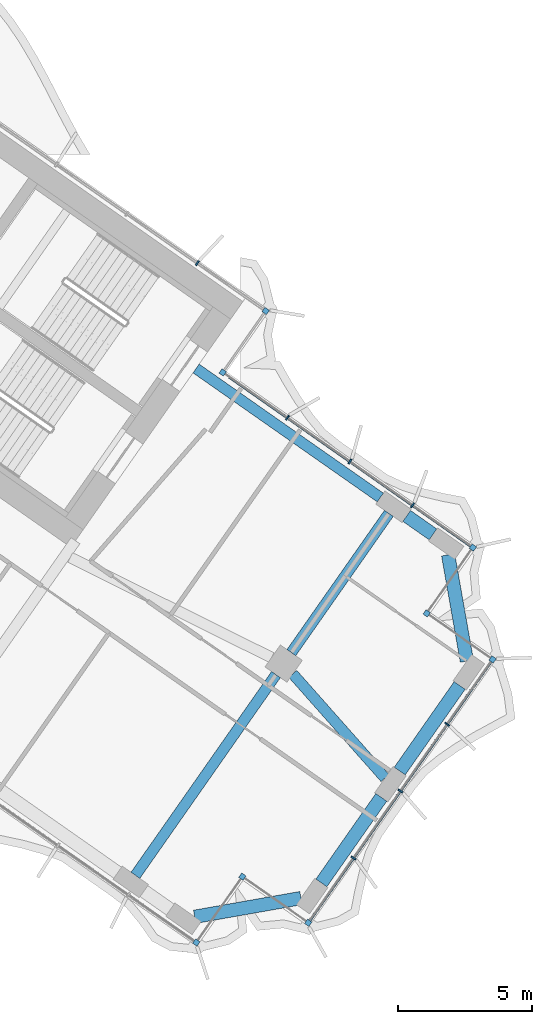
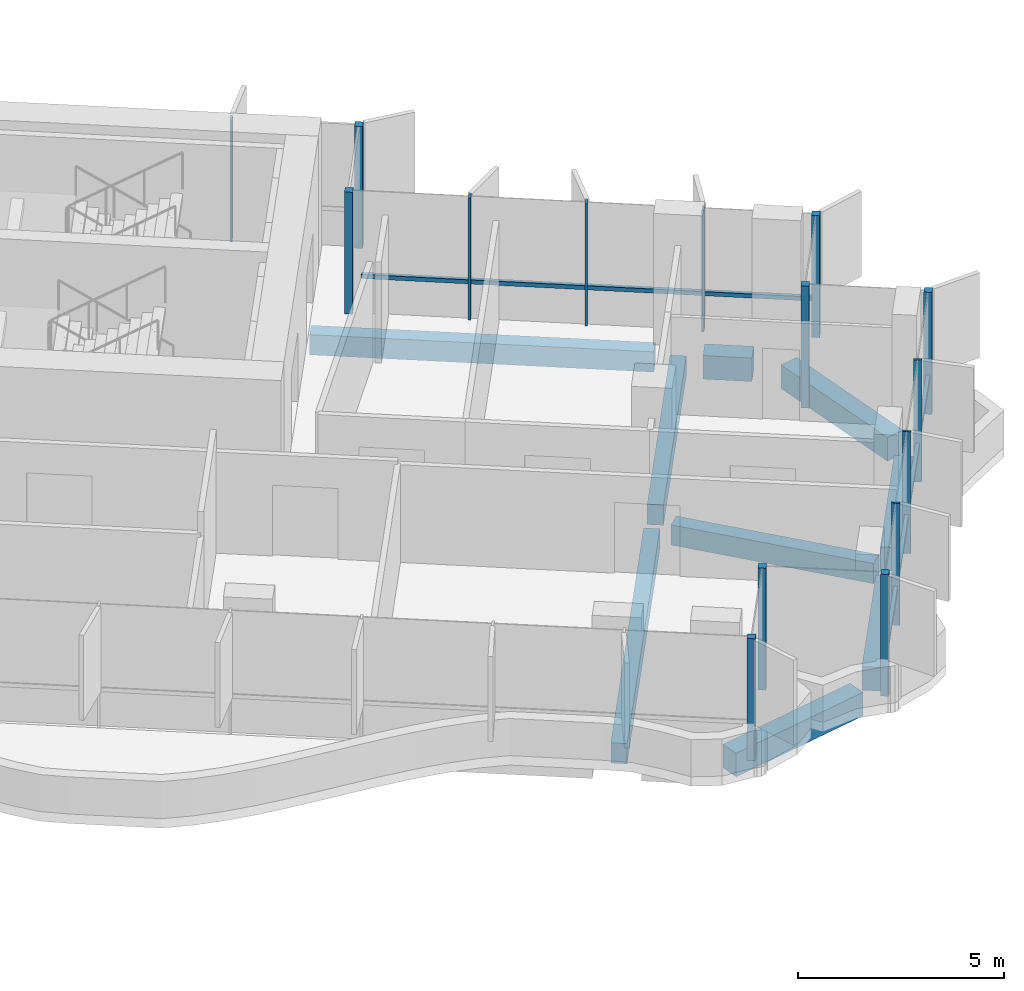
# One storey, part 11 of 23: 17 members, 9 beams, 2 elements without a shape of their own.
"""IFC4 building model written with IfcOpenShell, lengths in metres."""

import ifcopenshell
import ifcopenshell.guid

model = None  # the IFC model being written
_history = None  # IfcOwnerHistory: only IFC2X3 demands one
_inside = {}  # id of a spatial element -> (the spatial element, [elements in it])
_under = {}  # id of a project, library or spatial element -> (it, [spatial elements below it])
_declared = {}  # id of a project -> (the project, [libraries it declares])
_typed = {}  # id of a type object -> (the type object, [elements of that type])
_made_of = {}  # id of a material, layer set ... -> (it, [elements and type objects made of it])


def new_model(schema):
    """Start an empty IFC model of exactly this schema.

    Asked for "IFC4X3", IfcOpenShell would pick the latest addendum, in which some entities
    have other attributes; the version numbers below select the first issue.
    IFC2X3 requires an IfcOwnerHistory on every rooted entity: one is made here for all.
    """
    global model, _history
    if schema == "IFC4X3":
        model = ifcopenshell.file(schema_version=(4, 3, 0, 0))
    else:
        model = ifcopenshell.file(schema=schema)
    _inside.clear()
    _under.clear()
    _declared.clear()
    _typed.clear()
    _made_of.clear()
    _history = None
    if model.schema == "IFC2X3":
        org = make("IfcOrganization", Name="unknown")
        user = make(
            "IfcPersonAndOrganization",
            ThePerson=make("IfcPerson", FamilyName="unknown"),
            TheOrganization=org,
        )
        app = make(
            "IfcApplication",
            ApplicationDeveloper=org,
            Version="unknown",
            ApplicationFullName="unknown",
            ApplicationIdentifier="unknown",
        )
        _history = make(
            "IfcOwnerHistory",
            OwningUser=user,
            OwningApplication=app,
            ChangeAction="ADDED",
            CreationDate=0,
        )
    return model


def make(cls, **values):
    """One entity of the class cls with the attributes given. An attribute that is None is left unset."""
    return model.create_entity(
        cls, **{name: value for name, value in values.items() if value is not None}
    )


def rooted(cls, **values):
    """An entity with a GlobalId (a new one), such as an element, a storey or a relation."""
    return make(cls, GlobalId=ifcopenshell.guid.new(), OwnerHistory=_history, **values)


def si_unit(unit_type, name, prefix=None):
    """IfcSIUnit, for example si_unit("LENGTHUNIT", "METRE", prefix="MILLI")."""
    return make("IfcSIUnit", UnitType=unit_type, Prefix=prefix, Name=name)


def assignment(units):
    """IfcUnitAssignment: the units of a project."""
    return None if units is None else make("IfcUnitAssignment", Units=units)


def point(xyz):
    """IfcCartesianPoint."""
    return None if xyz is None else make("IfcCartesianPoint", Coordinates=xyz)


def direction(xyz):
    """IfcDirection."""
    return None if xyz is None else make("IfcDirection", DirectionRatios=xyz)


def frame(location, z_axis=None, x_axis=None):
    """IfcAxis2Placement3D, a coordinate frame: its origin and axes. An axis left out is left unset."""
    return make(
        "IfcAxis2Placement3D",
        Location=point(location),
        Axis=direction(z_axis),
        RefDirection=direction(x_axis),
    )


def frame_2d(location, x_axis=None):
    """IfcAxis2Placement2D, a coordinate frame in the plane: its origin and x axis."""
    return make(
        "IfcAxis2Placement2D", Location=point(location), RefDirection=direction(x_axis)
    )


def origin():
    """The frame at (0, 0, 0) with its axes left unset."""
    return frame((0.0, 0.0, 0.0))


def origin_2d():
    """The frame at (0, 0) in the plane with its x axis left unset."""
    return frame_2d((0.0, 0.0))


def place(relative_to, where):
    """IfcLocalPlacement: puts the frame where relative to a parent placement (None: the world)."""
    return make(
        "IfcLocalPlacement", PlacementRelTo=relative_to, RelativePlacement=where
    )


def context(
    kind, dimensions, precision=None, world=None, true_north=None, identifier=None
):
    """IfcGeometricRepresentationContext, for example the 3D "Model" context."""
    return make(
        "IfcGeometricRepresentationContext",
        ContextIdentifier=identifier,
        ContextType=kind,
        CoordinateSpaceDimension=dimensions,
        Precision=precision,
        WorldCoordinateSystem=world,
        TrueNorth=true_north,
    )


def subcontext(parent, identifier, kind, view, scale=None):
    """IfcGeometricRepresentationSubContext, for example "Body" below "Model"."""
    return make(
        "IfcGeometricRepresentationSubContext",
        ContextIdentifier=identifier,
        ContextType=kind,
        ParentContext=parent,
        TargetScale=scale,
        TargetView=view,
    )


def project(units=None, contexts=None):
    """IfcProject with its units and contexts."""
    return rooted(
        "IfcProject",
        Name="project",
        RepresentationContexts=contexts,
        UnitsInContext=assignment(units),
    )


def spatial(cls, under=None, at=None, **own):
    """A site, building, storey or space (cls), placed at a placement, below another one or the project."""
    s = rooted(cls, ObjectPlacement=at, **own)
    if under is not None:
        _under.setdefault(under.id(), (under, []))[1].append(s)
    return s


def profile(cls, at=None, kind="AREA", **sizes):
    """A parametric profile (cls). Its sizes go by their IFC names, for example OverallWidth=200.0."""
    return make(cls, ProfileType=kind, Position=at, **sizes)


def rectangle(**sizes):
    """IfcRectangleProfileDef."""
    return profile("IfcRectangleProfileDef", **sizes)


def extrude(swept, where, along, depth):
    """IfcExtrudedAreaSolid: the profile swept, set in the frame where, extruded along a direction by depth."""
    return make(
        "IfcExtrudedAreaSolid",
        SweptArea=swept,
        Position=where,
        ExtrudedDirection=direction(along),
        Depth=depth,
    )


def shape(context_of_items, identifier, shape_type, items):
    """IfcShapeRepresentation: the items that make up one representation, for example the "Body"."""
    return make(
        "IfcShapeRepresentation",
        ContextOfItems=context_of_items,
        RepresentationIdentifier=identifier,
        RepresentationType=shape_type,
        Items=items,
    )


def material(Name=None, Category=None):
    """IfcMaterial."""
    return make("IfcMaterial", Name=Name, Category=Category)


def material_profile(
    of_material, cross_section, Name=None, Category=None, Priority=None
):
    """IfcMaterialProfile: a cross section and its material."""
    return make(
        "IfcMaterialProfile",
        Name=Name,
        Material=of_material,
        Profile=cross_section,
        Priority=Priority,
        Category=Category,
    )


def profile_set(profiles, Name=None, composite=None):
    """IfcMaterialProfileSet."""
    return make(
        "IfcMaterialProfileSet",
        Name=Name,
        MaterialProfiles=profiles,
        CompositeProfile=composite,
    )


def made_of(thing, what):
    """Note that an element or type object is made of a material, layer set ...; save() writes the relation."""
    if what is not None:
        _made_of.setdefault(what.id(), (what, []))[1].append(thing)
    return thing


def type_object(cls, material=None, **own):
    """A type object (cls), such as IfcWallType, which elements share."""
    return made_of(rooted(cls, **own), material)


def element(
    cls,
    number,
    at=None,
    inside=None,
    cuts=None,
    type_object=None,
    material=None,
    context=None,
    identifier="Body",
    shape_type=None,
    held_by="IfcProductDefinitionShape",
    body=None,
    shapes=None,
    **own,
):
    """One element of the class cls, such as IfcWall. Its Tag is "e" and its number.

    at: its placement. inside: the storey or other place that contains it. cuts: it is an
    opening in that element (IfcRelVoidsElement). A single representation is given by context,
    identifier, shape_type and body (its items); several are given by shapes. held_by: the class
    of the entity that holds the representations. save() writes the other relations.
    """
    e = rooted(cls, Tag="e%d" % number, ObjectPlacement=at, **own)
    if body is not None:
        shapes = [shape(context, identifier, shape_type, body)]
    if shapes is not None:
        e.Representation = make(held_by, Representations=shapes)
    if inside is not None:
        _inside.setdefault(inside.id(), (inside, []))[1].append(e)
    if cuts is not None:
        rooted(
            "IfcRelVoidsElement", RelatingBuildingElement=cuts, RelatedOpeningElement=e
        )
    if type_object is not None:
        _typed.setdefault(type_object.id(), (type_object, []))[1].append(e)
    return made_of(e, material)


def aggregate(whole, parts):
    """IfcRelAggregates: a whole, such as a stair, and the parts it consists of."""
    return rooted("IfcRelAggregates", RelatingObject=whole, RelatedObjects=parts)


def save(model, path):
    """Write the relations noted so far, then the file.

    IfcRelAggregates (storeys below a building ...), IfcRelContainedInSpatialStructure (elements
    in a storey), IfcRelDefinesByType, IfcRelAssociatesMaterial and IfcRelDeclares: one each for
    every whole, place, type object, material and project.
    """
    for whole, parts in _under.values():
        aggregate(whole, parts)
    for where, things in _inside.values():
        rooted(
            "IfcRelContainedInSpatialStructure",
            RelatedElements=things,
            RelatingStructure=where,
        )
    for kind, things in _typed.values():
        rooted("IfcRelDefinesByType", RelatedObjects=things, RelatingType=kind)
    for what, things in _made_of.values():
        rooted("IfcRelAssociatesMaterial", RelatedObjects=things, RelatingMaterial=what)
    for by, libraries in _declared.values():
        rooted("IfcRelDeclares", RelatingContext=by, RelatedDefinitions=libraries)
    model.write(path)


model = new_model("IFC4")

# Units and contexts
model_context = context("Model", 3, precision=1e-05, world=origin(), true_north=direction((0.0, 1.0)))
body_context = subcontext(model_context, "Body", "Model", "MODEL_VIEW")
ifc_project = project(units=[si_unit("LENGTHUNIT", "METRE"), si_unit("AREAUNIT", "SQUARE_METRE"), si_unit("VOLUMEUNIT", "CUBIC_METRE"), si_unit("PLANEANGLEUNIT", "RADIAN"), si_unit("MASSUNIT", "GRAM", prefix="KILO")], contexts=[model_context])

# Site, building, storey
site_placement = place(None, origin())
site = spatial("IfcSite", under=ifc_project, at=site_placement, CompositionType="ELEMENT")
building_placement = place(site_placement, origin())
building = spatial("IfcBuilding", under=site, at=building_placement, Name="Tel Ilan Convention Tower", CompositionType="ELEMENT")
storey_placement = place(building_placement, frame((0.0, 0.0, 171.0)))
storey = spatial("IfcBuildingStorey", under=building, at=storey_placement, Name="L39", CompositionType="ELEMENT", Elevation=171.0)

# Beams
ifc_material_1 = material(Name="Concrete C40/50", Category="concrete")
ifc_material_profile_1 = material_profile(ifc_material_1, rectangle(XDim=0.39990234375, YDim=0.60009765625, at=origin_2d()), Name="RC 400x600")
ifc_profile_set_1 = profile_set([ifc_material_profile_1], Name="Concrete C40/50")
beam_type_1 = type_object("IfcBeamType", Name="Beam RC 400x600 Concrete C40/50", PredefinedType="BEAM", material=ifc_profile_set_1)
beam_1_placement = place(storey_placement, frame((33.09912109375, -14.44775390625, -0.580078125), z_axis=(-0.819147254605, 0.573583276668, 0.0), x_axis=(-0.573583276668, -0.819147254605, 0.0)))
element("IfcBeam", 1, at=beam_1_placement, inside=storey, type_object=beam_type_1, Name="L39 beam E-E-B4-core", PredefinedType="BEAM", context=body_context, shape_type="SweptSolid", body=[
    extrude(rectangle(XDim=0.39990234375, YDim=0.60009765625, at=origin_2d()), origin(), (0.0, 0.0, 1.0), 8.400146484375),
])
beam_2_placement = place(storey_placement, frame((29.830322265625, -21.03369140625, -0.580078125), z_axis=(0.663175252401, -0.748464150512, 0.0), x_axis=(0.748464150512, 0.663175252401, 0.0)))
element("IfcBeam", 2, at=beam_2_placement, inside=storey, type_object=beam_type_1, Name="L39 beam E-E-M4-end", PredefinedType="BEAM", context=body_context, shape_type="SweptSolid", body=[
    extrude(rectangle(XDim=0.39990234375, YDim=0.60009765625, at=origin_2d()), origin(), (0.0, 0.0, 1.0), 5.192626953125),
])
beam_3_placement = place(storey_placement, frame((29.20263671875, -21.058349609375, -0.580078125), z_axis=(-0.573557249804, -0.819165478519, 0.0), x_axis=(0.819165478519, -0.573557249804, 0.0)))
element("IfcBeam", 3, at=beam_3_placement, inside=storey, type_object=beam_type_1, Name="L39 beam E-E-M4-E-F4", PredefinedType="BEAM", context=body_context, shape_type="SweptSolid", body=[
    extrude(rectangle(XDim=0.39990234375, YDim=0.60009765625, at=origin_2d()), origin(), (0.0, 0.0, 1.0), 9.14990234375),
])
beam_4_placement = place(storey_placement, frame((29.7763671875, -20.2392578125, -0.580078125), z_axis=(0.573560394383, 0.819163276762, 0.0), x_axis=(-0.819163276762, 0.573560394383, 0.0)))
element("IfcBeam", 4, at=beam_4_placement, inside=storey, type_object=beam_type_1, Name="L39 beam E-E-M4-E-B4", PredefinedType="BEAM", context=body_context, shape_type="SweptSolid", body=[
    extrude(rectangle(XDim=0.39990234375, YDim=0.60009765625, at=origin_2d()), origin(), (0.0, 0.0, 1.0), 6.349853515625),
])
ifc_material_2 = material(Name="Concrete C40/50", Category="concrete")
ifc_material_profile_2 = material_profile(ifc_material_2, rectangle(XDim=0.5, YDim=0.699951171875, at=origin_2d()), Name="RC 500x700")
ifc_profile_set_2 = profile_set([ifc_material_profile_2], Name="Concrete C40/50")
beam_type_2 = type_object("IfcBeamType", Name="Beam RC 500x700 Concrete C40/50", PredefinedType="BEAM", material=ifc_profile_set_2)
beam_5_placement = place(storey_placement, frame((26.166259765625, -30.102294921875, -0.6298828125), z_axis=(0.984804894423, 0.173664388751, 0.0), x_axis=(-0.173664388751, 0.984804894423, 0.0)))
element("IfcBeam", 5, at=beam_5_placement, inside=storey, type_object=beam_type_2, Name="L39 beam E-E-FC-E-E1", PredefinedType="BEAM", context=body_context, shape_type="SweptSolid", body=[
    extrude(rectangle(XDim=0.5, YDim=0.699951171875, at=origin_2d()), origin(), (0.0, 0.0, 1.0), 4.030517578125),
])
for number, where, z_axis, x_axis, name in (
    (6, (30.8974609375, -28.837158203125, -0.6298828125), (0.573609383536, 0.819128973434, 0.0), (-0.819128973434, 0.573609383536, 0.0), "L39 beam E-E-E1-E-E2"),
    (7, (33.82275390625, -24.659423828125, -0.6298828125), (0.573567378001, 0.81915838694, 0.0), (-0.81915838694, 0.573567378001, 0.0), "L39 beam E-E-E2-E-E3"),
):
    element("IfcBeam", number, at=place(storey_placement, frame(where, z_axis=z_axis, x_axis=x_axis)), inside=storey, type_object=beam_type_2, Name=name, PredefinedType="BEAM", context=body_context, shape_type="SweptSolid", body=[
        extrude(rectangle(XDim=0.5, YDim=0.699951171875, at=origin_2d()), origin(), (0.0, 0.0, 1.0), 3.89990234375),
    ])
beam_6_placement = place(storey_placement, frame((36.330078125, -20.555419921875, -0.6298828125), z_axis=(-0.173664388751, 0.984804894423, 0.0), x_axis=(-0.984804894423, -0.173664388751, 0.0)))
element("IfcBeam", 8, at=beam_6_placement, inside=storey, type_object=beam_type_2, Name="L39 beam E-E-E3-E-BC", PredefinedType="BEAM", context=body_context, shape_type="SweptSolid", body=[
    extrude(rectangle(XDim=0.5, YDim=0.699951171875, at=origin_2d()), origin(), (0.0, 0.0, 1.0), 4.030517578125),
])
beam_7_placement = place(storey_placement, frame((35.06494140625, -15.82421875, -0.6298828125), z_axis=(-0.819155442668, 0.573571582932, 0.0), x_axis=(-0.573571582932, -0.819155442668, 0.0)))
element("IfcBeam", 9, at=beam_7_placement, inside=storey, type_object=beam_type_2, Name="L39 beam E-E-BC-E-B4", PredefinedType="BEAM", context=body_context, shape_type="SweptSolid", body=[
    extrude(rectangle(XDim=0.5, YDim=0.699951171875, at=origin_2d()), origin(), (0.0, 0.0, 1.0), 1.199951171875),
])

# Curtain wall, members
ifc_material_3 = material(Name="Aluminium, bronze anodised", Category="aluminium")
curtain_wall_type_1 = type_object("IfcCurtainWallType", Name="CW2 STICK CURTAIN WALL, SPANDREL PANELS", PredefinedType="NOTDEFINED", material=ifc_material_3)
curtain_wall_1_placement = place(storey_placement, origin())
curtain_wall_1 = element("IfcCurtainWall", 10, at=curtain_wall_1_placement, inside=storey, type_object=curtain_wall_type_1, Name="Curtain wall CW2-31.01", PredefinedType="NOTDEFINED")
ifc_material_4 = material(Name="Aluminium, bronze anodised", Category="aluminium")
ifc_material_profile_3 = material_profile(ifc_material_4, rectangle(XDim=0.199951171875, YDim=0.199951171875, at=origin_2d()), Name="CW CORNER MULLION 200x200")
ifc_profile_set_3 = profile_set([ifc_material_profile_3], Name="Aluminium, bronze anodised")
member_type_1 = type_object("IfcMemberType", Name="CW CORNER MULLION 200x200", PredefinedType="MULLION", material=ifc_profile_set_3)
member_1_placement = place(storey_placement, frame((27.213623046875, -9.77734375, 0.0), z_axis=(0.0, 0.0, 1.0), x_axis=(-0.819152044289, 0.573576436351, 0.0)))
member_1 = element("IfcMember", 11, at=member_1_placement, type_object=member_type_1, Name="Corner mullion", PredefinedType="MULLION", context=body_context, shape_type="SweptSolid", body=[
    extrude(rectangle(XDim=0.199951171875, YDim=0.199951171875, at=origin_2d()), origin(), (0.0, 0.0, 1.0), 3.6201171875),
])
member_2_placement = place(storey_placement, frame((28.819580078125, -7.483642578125, 0.0), z_axis=(0.0, 0.0, 1.0), x_axis=(0.573576436351, 0.819152044289, 0.0)))
member_2 = element("IfcMember", 12, at=member_2_placement, type_object=member_type_1, Name="Corner mullion", PredefinedType="MULLION", context=body_context, shape_type="SweptSolid", body=[
    extrude(rectangle(XDim=0.199951171875, YDim=0.199951171875, at=origin_2d()), origin(), (0.0, 0.0, 1.0), 3.6201171875),
])

ifc_material_5 = material(Name="Aluminium, bronze anodised", Category="aluminium")
curtain_wall_type_2 = type_object("IfcCurtainWallType", Name="CW4 STICK CURTAIN WALL, OFFICE TINTED GLASS", PredefinedType="NOTDEFINED", material=ifc_material_5)
curtain_wall_2_placement = place(storey_placement, origin())
curtain_wall_2 = element("IfcCurtainWall", 13, at=curtain_wall_2_placement, inside=storey, type_object=curtain_wall_type_2, Name="Curtain wall CW4-31.02", PredefinedType="NOTDEFINED")
member_3_placement = place(storey_placement, frame((26.2275390625, -31.060791015625, 0.0), z_axis=(0.0, 0.0, 1.0), x_axis=(0.819152044289, -0.573576436351, 0.0)))
member_3 = element("IfcMember", 14, at=member_3_placement, type_object=member_type_1, Name="Corner mullion", PredefinedType="MULLION", context=body_context, shape_type="SweptSolid", body=[
    extrude(rectangle(XDim=0.199951171875, YDim=0.199951171875, at=origin_2d()), origin(), (0.0, 0.0, 1.0), 3.6201171875),
])
member_4_placement = place(storey_placement, frame((27.9482421875, -28.603271484375, 0.0), z_axis=(0.0, 0.0, 1.0), x_axis=(0.573576436351, 0.819152044289, 0.0)))
member_4 = element("IfcMember", 15, at=member_4_placement, type_object=member_type_1, Name="Corner mullion", PredefinedType="MULLION", context=body_context, shape_type="SweptSolid", body=[
    extrude(rectangle(XDim=0.199951171875, YDim=0.199951171875, at=origin_2d()), origin(), (0.0, 0.0, 1.0), 3.6201171875),
])
member_5_placement = place(storey_placement, frame((30.40576171875, -30.323974609375, 0.0), z_axis=(0.0, 0.0, 1.0), x_axis=(0.819152044289, -0.573576436351, 0.0)))
member_5 = element("IfcMember", 16, at=member_5_placement, type_object=member_type_1, Name="Corner mullion", PredefinedType="MULLION", context=body_context, shape_type="SweptSolid", body=[
    extrude(rectangle(XDim=0.199951171875, YDim=0.199951171875, at=origin_2d()), origin(), (0.0, 0.0, 1.0), 3.6201171875),
])
member_6_placement = place(storey_placement, frame((37.28857421875, -20.494140625, 0.0), z_axis=(0.0, 0.0, 1.0), x_axis=(0.573576436351, 0.819152044289, 0.0)))
member_6 = element("IfcMember", 17, at=member_6_placement, type_object=member_type_1, Name="Corner mullion", PredefinedType="MULLION", context=body_context, shape_type="SweptSolid", body=[
    extrude(rectangle(XDim=0.199951171875, YDim=0.199951171875, at=origin_2d()), origin(), (0.0, 0.0, 1.0), 3.6201171875),
])
member_7_placement = place(storey_placement, frame((34.8310546875, -18.7734375, 0.0), z_axis=(0.0, 0.0, 1.0), x_axis=(-0.819152044289, 0.573576436351, 0.0)))
member_7 = element("IfcMember", 18, at=member_7_placement, type_object=member_type_1, Name="Corner mullion", PredefinedType="MULLION", context=body_context, shape_type="SweptSolid", body=[
    extrude(rectangle(XDim=0.199951171875, YDim=0.199951171875, at=origin_2d()), origin(), (0.0, 0.0, 1.0), 3.6201171875),
])
member_8_placement = place(storey_placement, frame((36.5517578125, -16.31591796875, 0.0), z_axis=(0.0, 0.0, 1.0), x_axis=(0.573576436351, 0.819152044289, 0.0)))
member_8 = element("IfcMember", 19, at=member_8_placement, type_object=member_type_1, Name="Corner mullion", PredefinedType="MULLION", context=body_context, shape_type="SweptSolid", body=[
    extrude(rectangle(XDim=0.199951171875, YDim=0.199951171875, at=origin_2d()), origin(), (0.0, 0.0, 1.0), 3.6201171875),
])

# Member
ifc_material_6 = material(Name="Aluminium, bronze anodised", Category="aluminium")
ifc_material_profile_4 = material_profile(ifc_material_6, rectangle(XDim=0.06005859375, YDim=0.199951171875, at=origin_2d()), Name="CW MULLION 60x200")
ifc_profile_set_4 = profile_set([ifc_material_profile_4], Name="Aluminium, bronze anodised")
member_type_2 = type_object("IfcMemberType", Name="CW MULLION 60x200", PredefinedType="MULLION", material=ifc_profile_set_4)
member_9_placement = place(storey_placement, frame((26.268798828125, -5.697509765625, 0.0), z_axis=(0.0, 0.0, 1.0), x_axis=(-0.819152044289, 0.573576436351, 0.0)))
member_9 = element("IfcMember", 20, at=member_9_placement, type_object=member_type_2, Name="Mullion", PredefinedType="MULLION", context=body_context, shape_type="SweptSolid", body=[
    extrude(rectangle(XDim=0.06005859375, YDim=0.199951171875, at=origin_2d()), origin(), (0.0, 0.0, 1.0), 3.6201171875),
])

aggregate(curtain_wall_1, [member_1, member_2, member_9])

member_10_placement = place(storey_placement, frame((32.09765625, -27.907470703125, 0.0), z_axis=(0.0, 0.0, 1.0), x_axis=(0.573576436351, 0.819152044289, 0.0)))
member_10 = element("IfcMember", 21, at=member_10_placement, type_object=member_type_2, Name="Mullion", PredefinedType="MULLION", context=body_context, shape_type="SweptSolid", body=[
    extrude(rectangle(XDim=0.06005859375, YDim=0.199951171875, at=origin_2d()), origin(), (0.0, 0.0, 1.0), 3.6201171875),
])

member_11_placement = place(storey_placement, frame((33.84716796875, -25.4091796875, 0.0), z_axis=(0.0, 0.0, 1.0), x_axis=(0.573576436351, 0.819152044289, 0.0)))
member_11 = element("IfcMember", 22, at=member_11_placement, type_object=member_type_2, Name="Mullion", PredefinedType="MULLION", context=body_context, shape_type="SweptSolid", body=[
    extrude(rectangle(XDim=0.06005859375, YDim=0.199951171875, at=origin_2d()), origin(), (0.0, 0.0, 1.0), 3.6201171875),
])

member_12_placement = place(storey_placement, frame((35.596435546875, -22.91064453125, 0.0), z_axis=(0.0, 0.0, 1.0), x_axis=(0.573576436351, 0.819152044289, 0.0)))
member_12 = element("IfcMember", 23, at=member_12_placement, type_object=member_type_2, Name="Mullion", PredefinedType="MULLION", context=body_context, shape_type="SweptSolid", body=[
    extrude(rectangle(XDim=0.06005859375, YDim=0.199951171875, at=origin_2d()), origin(), (0.0, 0.0, 1.0), 3.6201171875),
])

member_13_placement = place(storey_placement, frame((34.299072265625, -14.73876953125, 0.0), z_axis=(0.0, 0.0, 1.0), x_axis=(-0.819152044289, 0.573576436351, 0.0)))
member_13 = element("IfcMember", 24, at=member_13_placement, type_object=member_type_2, Name="Mullion", PredefinedType="MULLION", context=body_context, shape_type="SweptSolid", body=[
    extrude(rectangle(XDim=0.06005859375, YDim=0.199951171875, at=origin_2d()), origin(), (0.0, 0.0, 1.0), 3.6201171875),
])

member_14_placement = place(storey_placement, frame((31.964599609375, -13.10400390625, 0.0), z_axis=(0.0, 0.0, 1.0), x_axis=(-0.819152044289, 0.573576436351, 0.0)))
member_14 = element("IfcMember", 25, at=member_14_placement, type_object=member_type_2, Name="Mullion", PredefinedType="MULLION", context=body_context, shape_type="SweptSolid", body=[
    extrude(rectangle(XDim=0.06005859375, YDim=0.199951171875, at=origin_2d()), origin(), (0.0, 0.0, 1.0), 3.6201171875),
])

member_15_placement = place(storey_placement, frame((29.630126953125, -11.46923828125, 0.0), z_axis=(0.0, 0.0, 1.0), x_axis=(-0.819152044289, 0.573576436351, 0.0)))
member_15 = element("IfcMember", 26, at=member_15_placement, type_object=member_type_2, Name="Mullion", PredefinedType="MULLION", context=body_context, shape_type="SweptSolid", body=[
    extrude(rectangle(XDim=0.06005859375, YDim=0.199951171875, at=origin_2d()), origin(), (0.0, 0.0, 1.0), 3.6201171875),
])

ifc_material_7 = material(Name="Aluminium, bronze anodised", Category="aluminium")
ifc_material_profile_5 = material_profile(ifc_material_7, rectangle(XDim=0.10009765625, YDim=0.1201171875, at=origin_2d()), Name="CW TRANSOM 100x120")
ifc_profile_set_5 = profile_set([ifc_material_profile_5], Name="Aluminium, bronze anodised")
member_type_3 = type_object("IfcMemberType", Name="CW TRANSOM 100x120", PredefinedType="USERDEFINED", material=ifc_profile_set_5)
member_16_placement = place(storey_placement, frame((30.463134765625, -30.2421875, 1.10009765625), z_axis=(0.573567872435, 0.819158040741, 0.0), x_axis=(-0.819158040741, 0.573567872435, 0.0)))
member_16 = element("IfcMember", 27, at=member_16_placement, type_object=member_type_3, Name="Transom", ObjectType="TRANSOM", PredefinedType="USERDEFINED", context=body_context, shape_type="SweptSolid", body=[
    extrude(rectangle(XDim=0.10009765625, YDim=0.1201171875, at=origin_2d()), origin(), (0.0, 0.0, 1.0), 11.800048828125),
])

member_17_placement = place(storey_placement, frame((36.469970703125, -16.258544921875, 1.10009765625), z_axis=(-0.819154753687, 0.57357256691, 0.0), x_axis=(-0.57357256691, -0.819154753687, 0.0)))
member_17 = element("IfcMember", 28, at=member_17_placement, type_object=member_type_3, Name="Transom", ObjectType="TRANSOM", PredefinedType="USERDEFINED", context=body_context, shape_type="SweptSolid", body=[
    extrude(rectangle(XDim=0.10009765625, YDim=0.1201171875, at=origin_2d()), origin(), (0.0, 0.0, 1.0), 11.0),
])

aggregate(curtain_wall_2, [member_3, member_4, member_5, member_10, member_11, member_12, member_6, member_16, member_7, member_8, member_13, member_14, member_15, member_17])

save(model, "model.ifc")
